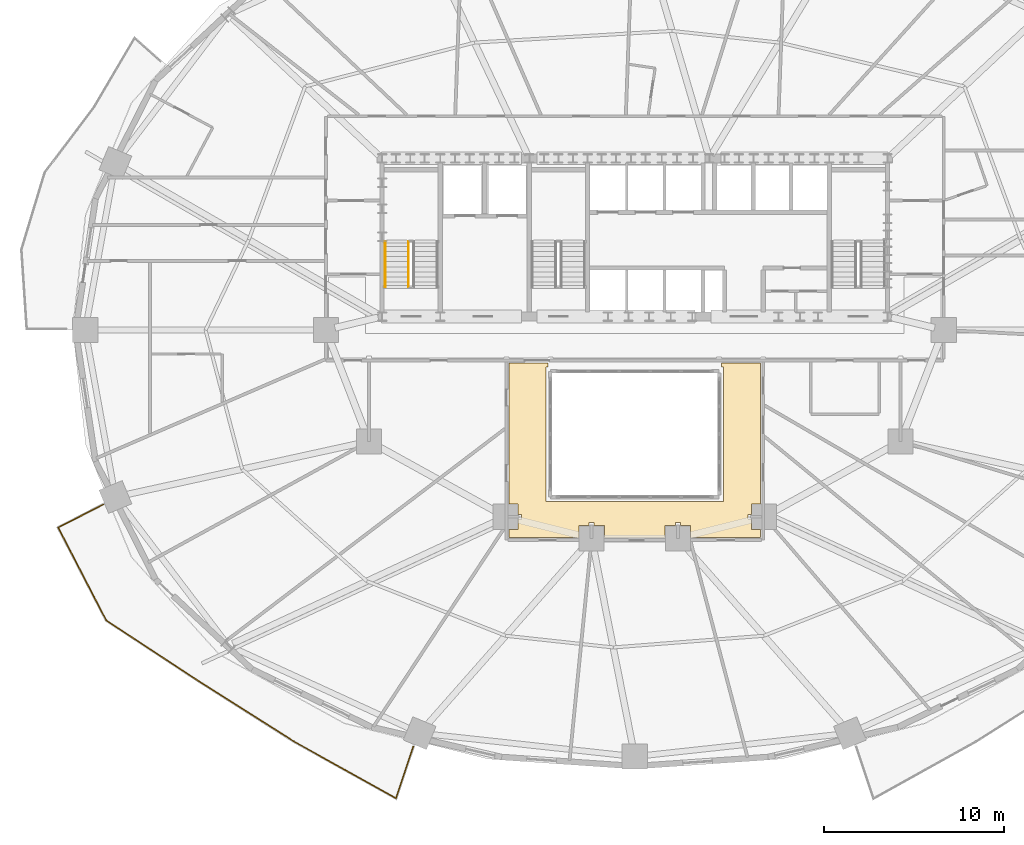
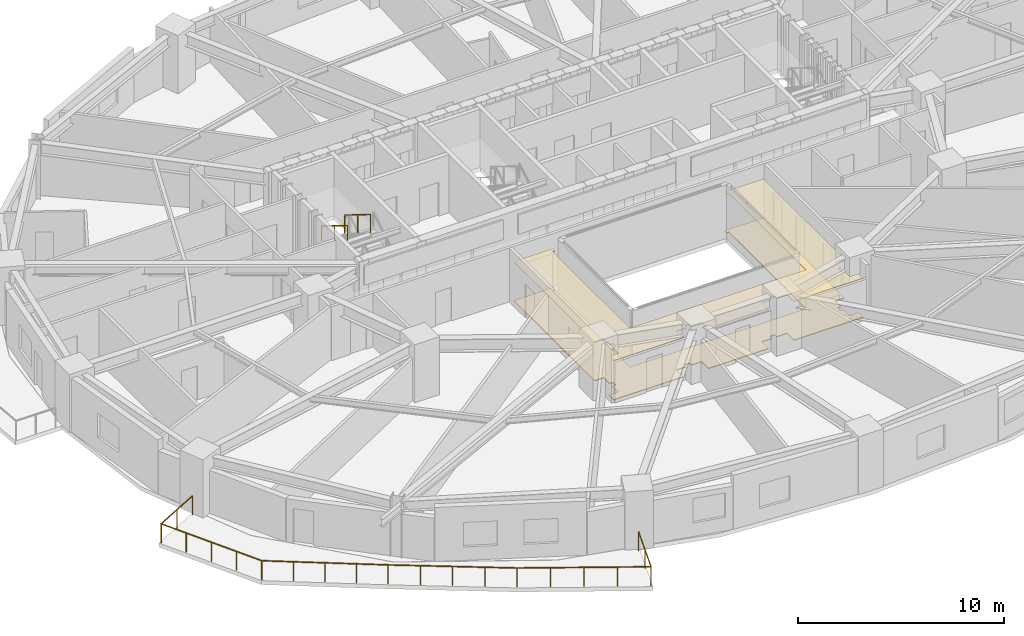
# One storey, part 15 of 18: 3 railings, 2 coverings.
"""IFC4 building model written with IfcOpenShell, lengths in metres."""

from ifc_helpers import new_model, si_unit, direction, frame, origin, origin_2d, place, context, subcontext, project, spatial, polyline, rectangle, outline, extrude, material, layer, layer_set, type_object, element, save


model = new_model("IFC4")

# Units and contexts
model_context = context("Model", 3, precision=1e-05, world=origin(), true_north=direction((0.0, 1.0)))
body_context = subcontext(model_context, "Body", "Model", "MODEL_VIEW")
ifc_project = project(units=[si_unit("LENGTHUNIT", "METRE"), si_unit("AREAUNIT", "SQUARE_METRE"), si_unit("VOLUMEUNIT", "CUBIC_METRE"), si_unit("PLANEANGLEUNIT", "RADIAN"), si_unit("MASSUNIT", "GRAM", prefix="KILO")], contexts=[model_context])

# Site, building, storey
site_placement = place(None, origin())
site = spatial("IfcSite", under=ifc_project, at=site_placement, CompositionType="ELEMENT")
building_placement = place(site_placement, origin())
building = spatial("IfcBuilding", under=site, at=building_placement, Name="Haldorwick Loom Tower", CompositionType="ELEMENT")
storey_placement = place(building_placement, frame((0.0, 0.0, 41.25)))
storey = spatial("IfcBuildingStorey", under=building, at=storey_placement, Name="L10", CompositionType="ELEMENT", Elevation=41.25)

# Coverings
ifc_material_1 = material(Name="Mineral Fibre Acoustic Ceiling Tile")
ifc_layer_1 = layer(ifc_material_1, 0.054931640625, Name="Mineral Fibre Acoustic Ceiling Tile")
ifc_layer_set_1 = layer_set([ifc_layer_1], Name="Mineral Fibre Acoustic Ceiling Tile")
covering_type_1 = type_object("IfcCoveringType", Name="ARC-COV-CEIL2", PredefinedType="CEILING", material=ifc_layer_set_1)
covering_1_placement = place(storey_placement, frame((0.0, 0.0, 2.302001953125)))
element("IfcCovering", 1, at=covering_1_placement, inside=storey, type_object=covering_type_1, Name="L10 Acoustic Suspended Ceiling 1", PredefinedType="CEILING", context=body_context, shape_type="SweptSolid", body=[
    extrude(outline(polyline([(33.719970703125, 15.2900390625), (33.721923828125, 15.289794921875), (33.723876953125, 15.28955078125), (33.725830078125, 15.2890625), (33.7275390625, 15.28857421875), (33.7294921875, 15.28759765625), (33.731201171875, 15.28662109375), (33.732666015625, 15.285400390625), (33.734130859375, 15.2841796875), (33.7353515625, 15.28271484375), (33.736572265625, 15.281005859375), (33.737548828125, 15.279541015625), (33.738525390625, 15.277587890625), (33.739013671875, 15.27587890625), (33.739501953125, 15.27392578125), (33.739990234375, 15.27197265625), (33.739990234375, 15.27001953125), (33.740478515625, 15.10791015625), (34.30810546875, 15.10791015625), (34.30810546875, 14.43994140625), (37.69189453125, 14.43994140625), (37.69189453125, 15.10791015625), (38.260009765625, 15.10791015625), (38.260009765625, 15.27001953125), (38.260009765625, 15.27197265625), (38.260498046875, 15.27392578125), (38.260986328125, 15.27587890625), (38.261474609375, 15.277587890625), (38.262451171875, 15.279296875), (38.263427734375, 15.281005859375), (38.264404296875, 15.28271484375), (38.265869140625, 15.2841796875), (38.267333984375, 15.285400390625), (38.268798828125, 15.28662109375), (38.2705078125, 15.28759765625), (38.272216796875, 15.28857421875), (38.274169921875, 15.2890625), (38.276123046875, 15.28955078125), (38.278076171875, 15.289794921875), (38.280029296875, 15.2900390625), (38.52001953125, 15.2900390625), (38.52197265625, 15.289794921875), (38.52392578125, 15.28955078125), (38.52587890625, 15.2890625), (38.527587890625, 15.28857421875), (38.529296875, 15.28759765625), (38.531005859375, 15.28662109375), (38.53271484375, 15.285400390625), (38.5341796875, 15.2841796875), (38.535400390625, 15.28271484375), (38.53662109375, 15.281005859375), (38.53759765625, 15.279296875), (38.53857421875, 15.277587890625), (38.5390625, 15.27587890625), (38.53955078125, 15.27392578125), (38.539794921875, 15.27197265625), (38.5400390625, 15.27001953125), (38.5400390625, 15.10791015625), (39.10791015625, 15.10791015625), (39.10791015625, 14.43994140625), (43.010009765625, 14.43994140625), (43.010009765625, 14.89208984375), (42.491943359375, 14.89208984375), (42.491943359375, 15.4599609375), (42.330078125, 15.4599609375), (42.327880859375, 15.460205078125), (42.326171875, 15.46044921875), (42.32421875, 15.4609375), (42.322265625, 15.46142578125), (42.320556640625, 15.46240234375), (42.31884765625, 15.46337890625), (42.3173828125, 15.464599609375), (42.31591796875, 15.4658203125), (42.314453125, 15.46728515625), (42.3134765625, 15.468994140625), (42.3125, 15.470703125), (42.3115234375, 15.472412109375), (42.310791015625, 15.47412109375), (42.310302734375, 15.47607421875), (42.31005859375, 15.47802734375), (42.31005859375, 15.47998046875), (42.31005859375, 15.719970703125), (42.31005859375, 15.721923828125), (42.310302734375, 15.723876953125), (42.310791015625, 15.725830078125), (42.3115234375, 15.727783203125), (42.3125, 15.7294921875), (42.3134765625, 15.731201171875), (42.314453125, 15.732666015625), (42.31591796875, 15.734130859375), (42.3173828125, 15.735595703125), (42.31884765625, 15.736572265625), (42.320556640625, 15.737548828125), (42.322265625, 15.738525390625), (42.32421875, 15.739013671875), (42.326171875, 15.739501953125), (42.327880859375, 15.739990234375), (42.330078125, 15.739990234375), (42.491943359375, 15.739990234375), (42.491943359375, 16.30810546875), (43.010009765625, 16.30810546875), (43.010009765625, 24.159912109375), (40.820068359375, 24.159912109375), (40.820068359375, 23.949951171875), (40.949951171875, 23.949951171875), (40.949951171875, 16.449951171875), (31.050048828125, 16.449951171875), (31.050048828125, 23.949951171875), (31.179931640625, 23.949951171875), (31.179931640625, 24.159912109375), (28.989990234375, 24.159912109375), (28.989990234375, 16.30810546875), (29.508056640625, 16.30810546875), (29.508056640625, 15.739990234375), (29.669921875, 15.739990234375), (29.672119140625, 15.739990234375), (29.673828125, 15.739501953125), (29.67578125, 15.739013671875), (29.677734375, 15.738525390625), (29.679443359375, 15.737548828125), (29.68115234375, 15.736572265625), (29.6826171875, 15.735595703125), (29.68408203125, 15.734130859375), (29.685546875, 15.732666015625), (29.6865234375, 15.731201171875), (29.6875, 15.7294921875), (29.6884765625, 15.727783203125), (29.689208984375, 15.725830078125), (29.689697265625, 15.723876953125), (29.68994140625, 15.721923828125), (29.68994140625, 15.719970703125), (29.68994140625, 15.47998046875), (29.68994140625, 15.47802734375), (29.689697265625, 15.47607421875), (29.689208984375, 15.47412109375), (29.6884765625, 15.472412109375), (29.6875, 15.470703125), (29.6865234375, 15.468994140625), (29.685546875, 15.46728515625), (29.68408203125, 15.4658203125), (29.6826171875, 15.464599609375), (29.68115234375, 15.46337890625), (29.679443359375, 15.46240234375), (29.677734375, 15.46142578125), (29.67578125, 15.4609375), (29.673828125, 15.46044921875), (29.672119140625, 15.460205078125), (29.669921875, 15.4599609375), (29.508056640625, 15.4599609375), (29.508056640625, 14.89208984375), (28.989990234375, 14.89208984375), (28.989990234375, 14.43994140625), (32.89208984375, 14.43994140625), (32.89208984375, 15.10791015625), (33.4599609375, 15.10791015625), (33.4599609375, 15.27001953125), (33.460205078125, 15.27197265625), (33.46044921875, 15.27392578125), (33.4609375, 15.27587890625), (33.46142578125, 15.277587890625), (33.46240234375, 15.279296875), (33.46337890625, 15.281005859375), (33.464599609375, 15.28271484375), (33.4658203125, 15.2841796875), (33.46728515625, 15.285400390625), (33.468994140625, 15.28662109375), (33.470703125, 15.28759765625), (33.472412109375, 15.28857421875), (33.47412109375, 15.2890625), (33.47607421875, 15.28955078125), (33.47802734375, 15.289794921875), (33.47998046875, 15.2900390625), (33.719970703125, 15.2900390625)])), origin(), (0.0, 0.0, 1.0), 0.054931640625),
])
ifc_material_2 = material(Name="Polished Aggregate Terrazzo Finish")
ifc_layer_2 = layer(ifc_material_2, 0.044921875, Name="Polished Aggregate Terrazzo Finish")
ifc_layer_set_2 = layer_set([ifc_layer_2], Name="Polished Aggregate Terrazzo Finish")
covering_type_2 = type_object("IfcCoveringType", Name="ARC-COV-FLOOR2", PredefinedType="FLOORING", material=ifc_layer_set_2)
covering_2_placement = place(storey_placement, origin())
element("IfcCovering", 2, at=covering_2_placement, inside=storey, type_object=covering_type_2, Name="L10 Floor Finish 1", PredefinedType="FLOORING", context=body_context, shape_type="SweptSolid", body=[
    extrude(outline(polyline([(33.719970703125, 15.2900390625), (33.721923828125, 15.289794921875), (33.723876953125, 15.28955078125), (33.725830078125, 15.2890625), (33.7275390625, 15.28857421875), (33.7294921875, 15.28759765625), (33.731201171875, 15.28662109375), (33.732666015625, 15.285400390625), (33.734130859375, 15.2841796875), (33.7353515625, 15.28271484375), (33.736572265625, 15.281005859375), (33.737548828125, 15.279541015625), (33.738525390625, 15.277587890625), (33.739013671875, 15.27587890625), (33.739501953125, 15.27392578125), (33.739990234375, 15.27197265625), (33.739990234375, 15.27001953125), (33.740478515625, 15.10791015625), (34.30810546875, 15.10791015625), (34.30810546875, 14.43994140625), (37.69189453125, 14.43994140625), (37.69189453125, 15.10791015625), (38.260009765625, 15.10791015625), (38.260009765625, 15.27001953125), (38.260009765625, 15.27197265625), (38.260498046875, 15.27392578125), (38.260986328125, 15.27587890625), (38.261474609375, 15.277587890625), (38.262451171875, 15.279296875), (38.263427734375, 15.281005859375), (38.264404296875, 15.28271484375), (38.265869140625, 15.2841796875), (38.267333984375, 15.285400390625), (38.268798828125, 15.28662109375), (38.2705078125, 15.28759765625), (38.272216796875, 15.28857421875), (38.274169921875, 15.2890625), (38.276123046875, 15.28955078125), (38.278076171875, 15.289794921875), (38.280029296875, 15.2900390625), (38.52001953125, 15.2900390625), (38.52197265625, 15.289794921875), (38.52392578125, 15.28955078125), (38.52587890625, 15.2890625), (38.527587890625, 15.28857421875), (38.529296875, 15.28759765625), (38.531005859375, 15.28662109375), (38.53271484375, 15.285400390625), (38.5341796875, 15.2841796875), (38.535400390625, 15.28271484375), (38.53662109375, 15.281005859375), (38.53759765625, 15.279296875), (38.53857421875, 15.277587890625), (38.5390625, 15.27587890625), (38.53955078125, 15.27392578125), (38.539794921875, 15.27197265625), (38.5400390625, 15.27001953125), (38.5400390625, 15.10791015625), (39.10791015625, 15.10791015625), (39.10791015625, 14.43994140625), (43.010009765625, 14.43994140625), (43.010009765625, 14.89208984375), (42.491943359375, 14.89208984375), (42.491943359375, 15.4599609375), (42.330078125, 15.4599609375), (42.327880859375, 15.460205078125), (42.326171875, 15.46044921875), (42.32421875, 15.4609375), (42.322265625, 15.46142578125), (42.320556640625, 15.46240234375), (42.31884765625, 15.46337890625), (42.3173828125, 15.464599609375), (42.31591796875, 15.4658203125), (42.314453125, 15.46728515625), (42.3134765625, 15.468994140625), (42.3125, 15.470703125), (42.3115234375, 15.472412109375), (42.310791015625, 15.47412109375), (42.310302734375, 15.47607421875), (42.31005859375, 15.47802734375), (42.31005859375, 15.47998046875), (42.31005859375, 15.719970703125), (42.31005859375, 15.721923828125), (42.310302734375, 15.723876953125), (42.310791015625, 15.725830078125), (42.3115234375, 15.727783203125), (42.3125, 15.7294921875), (42.3134765625, 15.731201171875), (42.314453125, 15.732666015625), (42.31591796875, 15.734130859375), (42.3173828125, 15.735595703125), (42.31884765625, 15.736572265625), (42.320556640625, 15.737548828125), (42.322265625, 15.738525390625), (42.32421875, 15.739013671875), (42.326171875, 15.739501953125), (42.327880859375, 15.739990234375), (42.330078125, 15.739990234375), (42.491943359375, 15.739990234375), (42.491943359375, 16.30810546875), (43.010009765625, 16.30810546875), (43.010009765625, 24.159912109375), (40.820068359375, 24.159912109375), (40.820068359375, 23.949951171875), (40.949951171875, 23.949951171875), (40.949951171875, 16.449951171875), (31.050048828125, 16.449951171875), (31.050048828125, 23.949951171875), (31.179931640625, 23.949951171875), (31.179931640625, 24.159912109375), (28.989990234375, 24.159912109375), (28.989990234375, 16.30810546875), (29.508056640625, 16.30810546875), (29.508056640625, 15.739990234375), (29.669921875, 15.739990234375), (29.672119140625, 15.739990234375), (29.673828125, 15.739501953125), (29.67578125, 15.739013671875), (29.677734375, 15.738525390625), (29.679443359375, 15.737548828125), (29.68115234375, 15.736572265625), (29.6826171875, 15.735595703125), (29.68408203125, 15.734130859375), (29.685546875, 15.732666015625), (29.6865234375, 15.731201171875), (29.6875, 15.7294921875), (29.6884765625, 15.727783203125), (29.689208984375, 15.725830078125), (29.689697265625, 15.723876953125), (29.68994140625, 15.721923828125), (29.68994140625, 15.719970703125), (29.68994140625, 15.47998046875), (29.68994140625, 15.47802734375), (29.689697265625, 15.47607421875), (29.689208984375, 15.47412109375), (29.6884765625, 15.472412109375), (29.6875, 15.470703125), (29.6865234375, 15.468994140625), (29.685546875, 15.46728515625), (29.68408203125, 15.4658203125), (29.6826171875, 15.464599609375), (29.68115234375, 15.46337890625), (29.679443359375, 15.46240234375), (29.677734375, 15.46142578125), (29.67578125, 15.4609375), (29.673828125, 15.46044921875), (29.672119140625, 15.460205078125), (29.669921875, 15.4599609375), (29.508056640625, 15.4599609375), (29.508056640625, 14.89208984375), (28.989990234375, 14.89208984375), (28.989990234375, 14.43994140625), (32.89208984375, 14.43994140625), (32.89208984375, 15.10791015625), (33.4599609375, 15.10791015625), (33.4599609375, 15.27001953125), (33.460205078125, 15.27197265625), (33.46044921875, 15.27392578125), (33.4609375, 15.27587890625), (33.46142578125, 15.277587890625), (33.46240234375, 15.279296875), (33.46337890625, 15.281005859375), (33.464599609375, 15.28271484375), (33.4658203125, 15.2841796875), (33.46728515625, 15.285400390625), (33.468994140625, 15.28662109375), (33.470703125, 15.28759765625), (33.472412109375, 15.28857421875), (33.47412109375, 15.2890625), (33.47607421875, 15.28955078125), (33.47802734375, 15.289794921875), (33.47998046875, 15.2900390625), (33.719970703125, 15.2900390625)])), origin(), (0.0, 0.0, 1.0), 0.044921875),
])

# Railings
ifc_material_3 = material(Name="Galvanized Steel CSA G40.21 350W", Category="steel")
railing_type_1 = type_object("IfcRailingType", Name="ARC-RLG-BAL115", PredefinedType="BALUSTRADE", material=ifc_material_3)
railing_1_placement = place(storey_placement, frame((23.663818359375, 2.791748046875, 0.0)))
element("IfcRailing", 3, at=railing_1_placement, inside=storey, type_object=railing_type_1, Name="L10 Outdoor Terrace Guardrail SLB-L10-BAL_SW-1", PredefinedType="BALUSTRADE", context=body_context, shape_type="SweptSolid", body=[
    extrude(rectangle(XDim=0.048095703125, YDim=0.048095703125, at=origin_2d()), frame((0.0, 0.0, 1.1259765625), z_axis=(-0.316567358246, -0.948570033099, 0.0), x_axis=(0.948570033099, -0.316567358246, 0.0)), (0.0, 0.0, 1.0), 3.019287109375),
    extrude(rectangle(XDim=0.048095703125, YDim=0.048095703125, at=origin_2d()), frame((-0.955810546875, -2.864013671875, 1.1259765625), z_axis=(-0.873916825296, 0.4860754905, 0.0), x_axis=(-0.4860754905, -0.873916825296, 0.0)), (0.0, 0.0, 1.0), 6.516357421875),
    extrude(rectangle(XDim=0.048095703125, YDim=0.048095703125, at=origin_2d()), frame((-6.650634765625, 0.303466796875, 1.1259765625), z_axis=(-0.844437349753, 0.535654331021, 0.0), x_axis=(-0.535654331021, -0.844437349753, 0.0)), (0.0, 0.0, 1.0), 6.277099609375),
    extrude(rectangle(XDim=0.048095703125, YDim=0.048095703125, at=origin_2d()), frame((-11.951171875, 3.665771484375, 1.1259765625), z_axis=(-0.835627954214, 0.549295842089, 0.0), x_axis=(-0.549295842089, -0.835627954214, 0.0)), (0.0, 0.0, 1.0), 6.153564453125),
    extrude(rectangle(XDim=0.048095703125, YDim=0.048095703125, at=origin_2d()), frame((-17.09326171875, 7.0458984375, 1.1259765625), z_axis=(-0.459876733973, 0.887982764219, 0.0), x_axis=(-0.887982764219, -0.459876733973, 0.0)), (0.0, 0.0, 1.0), 5.8095703125),
    extrude(rectangle(XDim=0.048095703125, YDim=0.048095703125, at=origin_2d()), frame((-19.764892578125, 12.20458984375, 1.1259765625), z_axis=(0.888909431133, 0.458082987289, 0.0), x_axis=(-0.458082987289, 0.888909431133, 0.0)), (0.0, 0.0, 1.0), 2.821533203125),
    extrude(rectangle(XDim=0.0419921875, YDim=0.0419921875, at=origin_2d()), origin(), (0.0, 0.0, 1.0), 1.101806640625),
    extrude(rectangle(XDim=0.0419921875, YDim=0.0419921875, at=origin_2d()), frame((-0.47802734375, -1.43212890625, 0.0)), (0.0, 0.0, 1.0), 1.101806640625),
    extrude(rectangle(XDim=0.0419921875, YDim=0.0419921875, at=origin_2d()), frame((-0.955810546875, -2.864013671875, 0.0)), (0.0, 0.0, 1.0), 1.101806640625),
    extrude(rectangle(XDim=0.0419921875, YDim=0.0419921875, at=origin_2d()), frame((-2.37939453125, -2.072265625, 0.0)), (0.0, 0.0, 1.0), 1.101806640625),
    extrude(rectangle(XDim=0.0419921875, YDim=0.0419921875, at=origin_2d()), frame((-3.80322265625, -1.2802734375, 0.0)), (0.0, 0.0, 1.0), 1.101806640625),
    extrude(rectangle(XDim=0.0419921875, YDim=0.0419921875, at=origin_2d()), frame((-5.22705078125, -0.48828125, 0.0)), (0.0, 0.0, 1.0), 1.101806640625),
    extrude(rectangle(XDim=0.0419921875, YDim=0.0419921875, at=origin_2d()), frame((-6.650634765625, 0.303466796875, 0.0)), (0.0, 0.0, 1.0), 1.101806640625),
    extrude(rectangle(XDim=0.0419921875, YDim=0.0419921875, at=origin_2d()), frame((-7.975830078125, 1.14404296875, 0.0)), (0.0, 0.0, 1.0), 1.101806640625),
    extrude(rectangle(XDim=0.0419921875, YDim=0.0419921875, at=origin_2d()), frame((-9.30078125, 1.984619140625, 0.0)), (0.0, 0.0, 1.0), 1.101806640625),
    extrude(rectangle(XDim=0.0419921875, YDim=0.0419921875, at=origin_2d()), frame((-10.6259765625, 2.8251953125, 0.0)), (0.0, 0.0, 1.0), 1.101806640625),
    extrude(rectangle(XDim=0.0419921875, YDim=0.0419921875, at=origin_2d()), frame((-11.951171875, 3.665771484375, 0.0)), (0.0, 0.0, 1.0), 1.101806640625),
    extrude(rectangle(XDim=0.0419921875, YDim=0.0419921875, at=origin_2d()), frame((-13.23681640625, 4.5107421875, 0.0)), (0.0, 0.0, 1.0), 1.101806640625),
    extrude(rectangle(XDim=0.0419921875, YDim=0.0419921875, at=origin_2d()), frame((-14.522216796875, 5.35595703125, 0.0)), (0.0, 0.0, 1.0), 1.101806640625),
    extrude(rectangle(XDim=0.0419921875, YDim=0.0419921875, at=origin_2d()), frame((-15.8076171875, 6.200927734375, 0.0)), (0.0, 0.0, 1.0), 1.101806640625),
    extrude(rectangle(XDim=0.0419921875, YDim=0.0419921875, at=origin_2d()), frame((-17.09326171875, 7.0458984375, 0.0)), (0.0, 0.0, 1.0), 1.101806640625),
    extrude(rectangle(XDim=0.0419921875, YDim=0.0419921875, at=origin_2d()), frame((-17.76123046875, 8.33544921875, 0.0)), (0.0, 0.0, 1.0), 1.101806640625),
    extrude(rectangle(XDim=0.0419921875, YDim=0.0419921875, at=origin_2d()), frame((-18.42919921875, 9.625244140625, 0.0)), (0.0, 0.0, 1.0), 1.101806640625),
    extrude(rectangle(XDim=0.0419921875, YDim=0.0419921875, at=origin_2d()), frame((-19.096923828125, 10.9150390625, 0.0)), (0.0, 0.0, 1.0), 1.101806640625),
    extrude(rectangle(XDim=0.0419921875, YDim=0.0419921875, at=origin_2d()), frame((-19.764892578125, 12.20458984375, 0.0)), (0.0, 0.0, 1.0), 1.101806640625),
    extrude(rectangle(XDim=0.0419921875, YDim=0.0419921875, at=origin_2d()), frame((-18.5107421875, 12.850830078125, 0.0)), (0.0, 0.0, 1.0), 1.101806640625),
    extrude(rectangle(XDim=0.0419921875, YDim=0.0419921875, at=origin_2d()), frame((-17.2568359375, 13.4970703125, 0.0)), (0.0, 0.0, 1.0), 1.101806640625),
])
ifc_material_4 = material(Name="Steel CSA G40.21 350W", Category="steel")
railing_type_2 = type_object("IfcRailingType", Name="ARC-RLG-GUARD112", PredefinedType="GUARDRAIL", material=ifc_material_4)
railing_2_placement = place(storey_placement, frame((23.39990234375, 30.919921875, 1.8974609375)))
element("IfcRailing", 4, at=railing_2_placement, inside=storey, type_object=railing_type_2, Name="L10 ST-01 stair guard 3", PredefinedType="GUARDRAIL", context=body_context, shape_type="SweptSolid", body=[
    extrude(rectangle(XDim=0.048095703125, YDim=0.048095703125, at=origin_2d()), frame((0.0, 0.0, 1.076171875), z_axis=(0.0, -0.851400495292, 0.524516154772), x_axis=(1.0, 0.0, 0.0)), (0.0, 0.0, 1.0), 2.9599609375),
    extrude(rectangle(XDim=0.0419921875, YDim=0.0419921875, at=origin_2d()), origin(), (0.0, 0.0, 1.0), 1.052001953125),
    extrude(rectangle(XDim=0.0419921875, YDim=0.0419921875, at=origin_2d()), frame((0.0, -1.260009765625, 0.7763671875)), (0.0, 0.0, 1.0), 1.052001953125),
    extrude(rectangle(XDim=0.0419921875, YDim=0.0419921875, at=origin_2d()), frame((0.0, -2.52001953125, 1.552490234375)), (0.0, 0.0, 1.0), 1.052001953125),
])
railing_type_3 = type_object("IfcRailingType", Name="ARC-RLG-HAND092", PredefinedType="HANDRAIL", material=ifc_material_4)
railing_3_placement = place(storey_placement, frame((22.10009765625, 30.919921875, 1.8974609375)))
element("IfcRailing", 5, at=railing_3_placement, inside=storey, type_object=railing_type_3, Name="L10 ST-01 stair handrail 2", PredefinedType="HANDRAIL", context=body_context, shape_type="SweptSolid", body=[
    extrude(rectangle(XDim=0.048095703125, YDim=0.048095703125, at=origin_2d()), frame((0.0, 0.0, 0.8759765625), z_axis=(0.0, -0.851400495292, 0.524516154772), x_axis=(1.0, 0.0, 0.0)), (0.0, 0.0, 1.0), 2.9599609375),
    extrude(rectangle(XDim=0.0419921875, YDim=0.0419921875, at=origin_2d()), origin(), (0.0, 0.0, 1.0), 0.851806640625),
    extrude(rectangle(XDim=0.0419921875, YDim=0.0419921875, at=origin_2d()), frame((0.0, -1.260009765625, 0.7763671875)), (0.0, 0.0, 1.0), 0.851806640625),
    extrude(rectangle(XDim=0.0419921875, YDim=0.0419921875, at=origin_2d()), frame((0.0, -2.52001953125, 1.552490234375)), (0.0, 0.0, 1.0), 0.851806640625),
])

save(model, "model.ifc")
